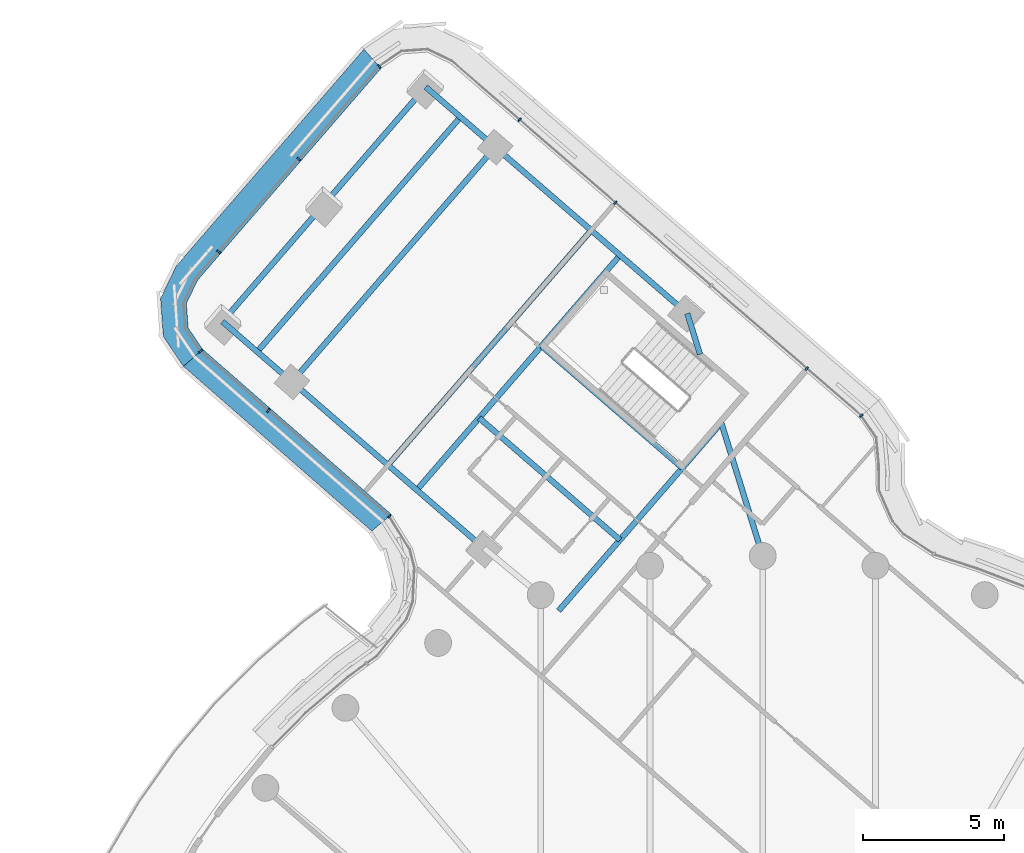
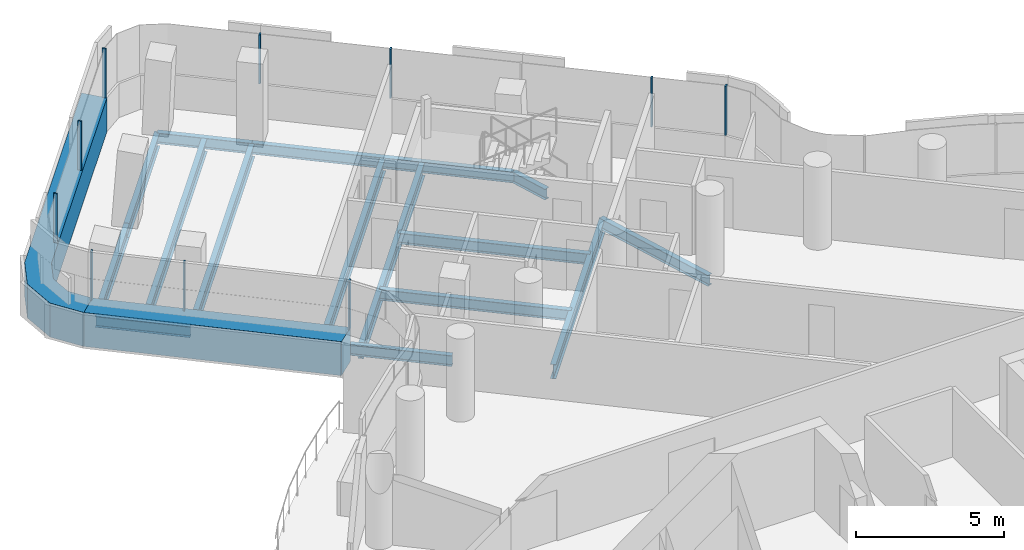
# One storey, part 15 of 32: 15 beams, 12 members, 4 elements without a shape of their own.
"""IFC4 building model written with IfcOpenShell, lengths in metres."""

from ifc_helpers import new_model, si_unit, direction, frame, origin, origin_2d, place, context, subcontext, project, spatial, polyline, rectangle, i_section, outline, extrude, material, layer, layer_set, material_profile, profile_set, type_object, element, aggregate, save


model = new_model("IFC4")

# Units and contexts
model_context = context("Model", 3, precision=1e-05, world=origin(), true_north=direction((0.0, 1.0)))
body_context = subcontext(model_context, "Body", "Model", "MODEL_VIEW")
ifc_project = project(units=[si_unit("LENGTHUNIT", "METRE"), si_unit("AREAUNIT", "SQUARE_METRE"), si_unit("VOLUMEUNIT", "CUBIC_METRE"), si_unit("PLANEANGLEUNIT", "RADIAN"), si_unit("MASSUNIT", "GRAM", prefix="KILO")], contexts=[model_context])

# Site, building, storey
site_placement = place(None, origin())
site = spatial("IfcSite", under=ifc_project, at=site_placement, CompositionType="ELEMENT")
building_placement = place(site_placement, origin())
building = spatial("IfcBuilding", under=site, at=building_placement, Name="Tamarind Cross Interchange Tower", CompositionType="ELEMENT")
storey_placement = place(building_placement, frame((0.0, 0.0, 211.300048828125)))
storey = spatial("IfcBuildingStorey", under=building, at=storey_placement, Name="L53", CompositionType="ELEMENT", Elevation=211.300048828125)

# Beams
ifc_material_1 = material(Name="Steel Q355B", Category="steel")
ifc_material_profile_1 = material_profile(ifc_material_1, i_section(OverallWidth=0.198974609375, OverallDepth=0.446044921875, WebThickness=0.008056640625, FlangeThickness=0.011962890625, FilletRadius=0.012939453125, at=origin_2d()), Name="HN 446x199x8x12")
ifc_profile_set_1 = profile_set([ifc_material_profile_1], Name="Steel Q355B")
beam_type_1 = type_object("IfcBeamType", Name="Composite beam HN 446x199x8x12 Q355B", PredefinedType="BEAM", material=ifc_profile_set_1)
beam_1_placement = place(storey_placement, frame((-11.940185546875, 39.61669921875, -0.363037109375), z_axis=(0.755936224782, -0.654645265822, 0.0), x_axis=(0.654645265822, 0.755936224782, 0.0)))
element("IfcBeam", 1, at=beam_1_placement, inside=storey, type_object=beam_type_1, Name="Beam N-edgeem5", PredefinedType="BEAM", context=body_context, shape_type="SweptSolid", body=[
    extrude(i_section(OverallWidth=0.198974609375, OverallDepth=0.446044921875, WebThickness=0.008056640625, FlangeThickness=0.011962890625, FilletRadius=0.012939453125, at=origin_2d()), origin(), (0.0, 0.0, 1.0), 3.2587890625),
])
beam_2_placement = place(storey_placement, frame((-9.476806640625, 37.4833984375, -0.363037109375), z_axis=(0.755922635759, -0.654660957097, 0.0), x_axis=(0.654660957097, 0.755922635759, 0.0)))
element("IfcBeam", 2, at=beam_2_placement, inside=storey, type_object=beam_type_1, Name="Beam N-edgeem6", PredefinedType="BEAM", context=body_context, shape_type="SweptSolid", body=[
    extrude(i_section(OverallWidth=0.198974609375, OverallDepth=0.446044921875, WebThickness=0.008056640625, FlangeThickness=0.011962890625, FilletRadius=0.012939453125, at=origin_2d()), origin(), (0.0, 0.0, 1.0), 9.000244140625),
])
beam_3_placement = place(storey_placement, frame((-19.141357421875, 31.3017578125, -0.363037109375), z_axis=(0.755899150045, -0.654688074553, 0.0), x_axis=(0.654688074553, 0.755899150045, 0.0)))
element("IfcBeam", 3, at=beam_3_placement, inside=storey, type_object=beam_type_1, Name="Beam N-edgeep2", PredefinedType="BEAM", context=body_context, shape_type="SweptSolid", body=[
    extrude(i_section(OverallWidth=0.198974609375, OverallDepth=0.446044921875, WebThickness=0.008056640625, FlangeThickness=0.011962890625, FilletRadius=0.012939453125, at=origin_2d()), origin(), (0.0, 0.0, 1.0), 3.2587890625),
])
beam_4_placement = place(storey_placement, frame((-16.677978515625, 29.168212890625, -0.363037109375), z_axis=(0.755911009677, -0.654674381237, 0.0), x_axis=(0.654674381237, 0.755911009677, 0.0)))
element("IfcBeam", 4, at=beam_4_placement, inside=storey, type_object=beam_type_1, Name="Beam N-edgeep3", PredefinedType="BEAM", context=body_context, shape_type="SweptSolid", body=[
    extrude(i_section(OverallWidth=0.198974609375, OverallDepth=0.446044921875, WebThickness=0.008056640625, FlangeThickness=0.011962890625, FilletRadius=0.012939453125, at=origin_2d()), origin(), (0.0, 0.0, 1.0), 9.0),
])
beam_5_placement = place(storey_placement, frame((-2.67333984375, 31.59130859375, -0.363037109375), z_axis=(0.297046990781, -0.954862862022, 0.0), x_axis=(0.954862862022, 0.297046990781, 0.0)))
element("IfcBeam", 5, at=beam_5_placement, inside=storey, type_object=beam_type_1, Name="Beam N-linkemt0", PredefinedType="BEAM", context=body_context, shape_type="SweptSolid", body=[
    extrude(i_section(OverallWidth=0.198974609375, OverallDepth=0.446044921875, WebThickness=0.008056640625, FlangeThickness=0.011962890625, FilletRadius=0.012939453125, at=origin_2d()), origin(), (0.0, 0.0, 1.0), 1.517333984375),
])
beam_6_placement = place(storey_placement, frame((-1.484619140625, 27.7705078125, -0.363037109375), z_axis=(0.297150707397, -0.954830590782, 0.0), x_axis=(0.954830590782, 0.297150707397, 0.0)))
element("IfcBeam", 6, at=beam_6_placement, inside=storey, type_object=beam_type_1, Name="Beam N-linkemt1", PredefinedType="BEAM", context=body_context, shape_type="SweptSolid", body=[
    extrude(i_section(OverallWidth=0.198974609375, OverallDepth=0.446044921875, WebThickness=0.008056640625, FlangeThickness=0.011962890625, FilletRadius=0.012939453125, at=origin_2d()), origin(), (0.0, 0.0, 1.0), 4.99609375),
])
for number, where, z_axis, x_axis, name in (
    (7, (-2.847900390625, 26.1201171875, -0.363037109375), (-0.755914834316, 0.654669965144, 0.0), (-0.654669965144, -0.755914834316, 0.0), "Beam N-tr1"),
    (8, (-5.057373046875, 23.56884765625, -0.363037109375), (-0.755914834316, 0.654669965144, 0.0), (-0.654669965144, -0.755914834316, 0.0), "Beam N-stripp"),
):
    element("IfcBeam", number, at=place(storey_placement, frame(where, z_axis=z_axis, x_axis=x_axis)), inside=storey, type_object=beam_type_1, Name=name, PredefinedType="BEAM", context=body_context, shape_type="SweptSolid", body=[
        extrude(i_section(OverallWidth=0.198974609375, OverallDepth=0.446044921875, WebThickness=0.008056640625, FlangeThickness=0.011962890625, FilletRadius=0.012939453125, at=origin_2d()), origin(), (0.0, 0.0, 1.0), 6.599853515625),
    ])
ifc_material_profile_2 = material_profile(ifc_material_1, i_section(OverallWidth=0.198974609375, OverallDepth=0.595947265625, WebThickness=0.010009765625, FlangeThickness=0.014892578125, FilletRadius=0.012939453125, at=origin_2d()), Name="HN 596x199x10x15")
ifc_profile_set_2 = profile_set([ifc_material_profile_2], Name="Steel Q355B")
beam_type_2 = type_object("IfcBeamType", Name="Composite beam HN 596x199x10x15 Q355B", PredefinedType="BEAM", material=ifc_profile_set_2)
for number, where, z_axis, x_axis, name in (
    (9, (-11.940185546875, 39.61669921875, -0.43798828125), (-0.654665171446, -0.755918985934, 0.0), (0.755918985934, -0.654665171446, 0.0), "Beam N-tip0"),
    (10, (-15.540771484375, 35.459228515625, -0.43798828125), (-0.654665171446, -0.755918985934, 0.0), (0.755918985934, -0.654665171446, 0.0), "Beam N-tip1"),
):
    element("IfcBeam", number, at=place(storey_placement, frame(where, z_axis=z_axis, x_axis=x_axis)), inside=storey, type_object=beam_type_2, Name=name, PredefinedType="BEAM", context=body_context, shape_type="SweptSolid", body=[
        extrude(i_section(OverallWidth=0.198974609375, OverallDepth=0.595947265625, WebThickness=0.010009765625, FlangeThickness=0.014892578125, FilletRadius=0.012939453125, at=origin_2d()), origin(), (0.0, 0.0, 1.0), 5.5),
    ])
beam_7_placement = place(storey_placement, frame((-1.467041015625, 27.71435546875, -0.43798828125), z_axis=(-0.654670720591, -0.75591418005, 0.0), x_axis=(0.75591418005, -0.654670720591, 0.0)))
element("IfcBeam", 11, at=beam_7_placement, inside=storey, type_object=beam_type_2, Name="Beam N-x268", PredefinedType="BEAM", context=body_context, shape_type="SweptSolid", body=[
    extrude(i_section(OverallWidth=0.198974609375, OverallDepth=0.595947265625, WebThickness=0.010009765625, FlangeThickness=0.014892578125, FilletRadius=0.012939453125, at=origin_2d()), origin(), (0.0, 0.0, 1.0), 8.8017578125),
])
for number, where, z_axis, x_axis, name in (
    (12, (-5.0546875, 33.653564453125, -0.43798828125), (-0.654654187812, -0.755928498193, 0.0), (0.755928498193, -0.654654187812, 0.0), "Beam N-x334"),
    (13, (-9.476806640625, 37.4833984375, -0.43798828125), (-0.654654187812, -0.755928498193, 0.0), (0.755928498193, -0.654654187812, 0.0), "Beam N-x393"),
    (14, (-6.0751953125, 34.537353515625, -0.43798828125), (-0.654654187812, -0.755928498193, 0.0), (0.755928498193, -0.654654187812, 0.0), "Beam N-x348"),
    (15, (-10.70849609375, 38.550048828125, -0.43798828125), (-0.654654187812, -0.755928498193, 0.0), (0.755928498193, -0.654654187812, 0.0), "Beam N-x409"),
):
    element("IfcBeam", number, at=place(storey_placement, frame(where, z_axis=z_axis, x_axis=x_axis)), inside=storey, type_object=beam_type_2, Name=name, PredefinedType="BEAM", context=body_context, shape_type="SweptSolid", body=[
        extrude(i_section(OverallWidth=0.198974609375, OverallDepth=0.595947265625, WebThickness=0.010009765625, FlangeThickness=0.014892578125, FilletRadius=0.012939453125, at=origin_2d()), origin(), (0.0, 0.0, 1.0), 11.0),
    ])

# Curtain wall, member
ifc_material_2 = material(Name="Aluminium 6063-T6", Category="aluminium")
ifc_layer = layer(ifc_material_2, 0.139892578125)
ifc_layer_set = layer_set([ifc_layer], Name="Aluminium 6063-T6")
curtain_wall_type = type_object("IfcCurtainWallType", Name="Hotel curtain wall, 4.5 m bays", PredefinedType="NOTDEFINED", material=ifc_layer_set)
curtain_wall_1_placement = place(storey_placement, origin())
curtain_wall_1 = element("IfcCurtainWall", 16, at=curtain_wall_1_placement, inside=storey, type_object=curtain_wall_type, Name="CWS-L53-08", PredefinedType="NOTDEFINED")
ifc_material_3 = material(Name="Aluminium and insulated spandrel panel", Category="aluminium")
member_type_1 = type_object("IfcMemberType", Name="Floor-edge blade transom", PredefinedType="USERDEFINED", material=ifc_material_3)
member_1_placement = place(storey_placement, origin())
member_1 = element("IfcMember", 17, at=member_1_placement, type_object=member_type_1, Name="CWT-L53-08", ObjectType="TRANSOM", PredefinedType="USERDEFINED", context=body_context, shape_type="SweptSolid", body=[
    extrude(outline(polyline([(-13.523681640625, 40.2744140625), (-20.0185546875, 32.77490234375), (-20.418212890625, 31.951416015625), (-20.355712890625, 31.0791015625), (-19.842041015625, 30.320556640625), (-20.52197265625, 29.7197265625), (-21.236083984375, 30.774169921875), (-21.333251953125, 32.12744140625), (-20.7763671875, 33.274658203125), (-14.126220703125, 40.953125), (-13.523681640625, 40.2744140625)])), origin(), (0.0, 0.0, 1.0), 1.39990234375),
])

curtain_wall_2_placement = place(storey_placement, origin())
curtain_wall_2 = element("IfcCurtainWall", 18, at=curtain_wall_2_placement, inside=storey, type_object=curtain_wall_type, Name="CWS-L53-09", PredefinedType="NOTDEFINED")
member_2_placement = place(storey_placement, origin())
member_2 = element("IfcMember", 19, at=member_2_placement, type_object=member_type_1, Name="CWT-L53-09", ObjectType="TRANSOM", PredefinedType="USERDEFINED", context=body_context, shape_type="SweptSolid", body=[
    extrude(outline(polyline([(-19.842041015625, 30.320556640625), (-13.15478515625, 24.4697265625), (-13.848388671875, 23.880859375), (-20.52197265625, 29.7197265625), (-19.842041015625, 30.320556640625)])), origin(), (0.0, 0.0, 1.0), 1.39990234375),
])

# Curtain wall, members
curtain_wall_3_placement = place(storey_placement, origin())
curtain_wall_3 = element("IfcCurtainWall", 20, at=curtain_wall_3_placement, inside=storey, type_object=curtain_wall_type, Name="CWS-L53-07", PredefinedType="NOTDEFINED")
ifc_material_profile_3 = material_profile(ifc_material_2, rectangle(XDim=0.06005859375, YDim=0.139892578125, at=origin_2d()), Name="Mullion CW2")
ifc_profile_set_3 = profile_set([ifc_material_profile_3], Name="Aluminium 6063-T6")
member_type_2 = type_object("IfcMemberType", Name="Mullion CW2", PredefinedType="MULLION", material=ifc_profile_set_3)
member_3_placement = place(storey_placement, frame((3.49560546875, 27.96826171875, 1.39990234375), z_axis=(0.0, 0.0, 1.0), x_axis=(-0.666528201716, 0.74547981617, 0.0)))
member_3 = element("IfcMember", 21, at=member_3_placement, type_object=member_type_2, Name="CWM-L53-07-00", PredefinedType="MULLION", context=body_context, shape_type="SweptSolid", body=[
    extrude(rectangle(XDim=0.06005859375, YDim=0.139892578125, at=origin_2d()), origin(), (0.0, 0.0, 1.0), 2.02001953125),
])
member_4_placement = place(storey_placement, frame((1.565185546875, 29.64013671875, 1.39990234375), z_axis=(0.0, 0.0, 1.0), x_axis=(-0.755917458902, 0.654666934653, 0.0)))
member_4 = element("IfcMember", 22, at=member_4_placement, type_object=member_type_2, Name="CWM-L53-07-01", PredefinedType="MULLION", context=body_context, shape_type="SweptSolid", body=[
    extrude(rectangle(XDim=0.06005859375, YDim=0.139892578125, at=origin_2d()), origin(), (0.0, 0.0, 1.0), 2.02001953125),
])
member_5_placement = place(storey_placement, frame((-5.2197265625, 35.516357421875, 1.39990234375), z_axis=(0.0, 0.0, 1.0), x_axis=(-0.755917458902, 0.654666934653, 0.0)))
member_5 = element("IfcMember", 23, at=member_5_placement, type_object=member_type_2, Name="CWM-L53-07-03", PredefinedType="MULLION", context=body_context, shape_type="SweptSolid", body=[
    extrude(rectangle(XDim=0.06005859375, YDim=0.139892578125, at=origin_2d()), origin(), (0.0, 0.0, 1.0), 2.02001953125),
])
member_6_placement = place(storey_placement, frame((-8.6123046875, 38.454345703125, 1.39990234375), z_axis=(0.0, 0.0, 1.0), x_axis=(-0.755917458902, 0.654666934653, 0.0)))
member_6 = element("IfcMember", 24, at=member_6_placement, type_object=member_type_2, Name="CWM-L53-07-04", PredefinedType="MULLION", context=body_context, shape_type="SweptSolid", body=[
    extrude(rectangle(XDim=0.06005859375, YDim=0.139892578125, at=origin_2d()), origin(), (0.0, 0.0, 1.0), 2.02001953125),
])
aggregate(curtain_wall_3, [member_3, member_4, member_5, member_6])

# Member
member_7_placement = place(storey_placement, frame((-13.590576171875, 40.349853515625, 1.39990234375), z_axis=(0.0, 0.0, 1.0), x_axis=(-0.747733195816, -0.663999298098, 0.0)))
member_7 = element("IfcMember", 25, at=member_7_placement, type_object=member_type_2, Name="CWM-L53-08-00", PredefinedType="MULLION", context=body_context, shape_type="SweptSolid", body=[
    extrude(rectangle(XDim=0.06005859375, YDim=0.139892578125, at=origin_2d()), origin(), (0.0, 0.0, 1.0), 2.02001953125),
])

member_8_placement = place(storey_placement, frame((-16.435546875, 37.06494140625, 1.39990234375), z_axis=(0.0, 0.0, 1.0), x_axis=(-0.654666934653, -0.755917458902, 0.0)))
member_8 = element("IfcMember", 26, at=member_8_placement, type_object=member_type_2, Name="CWM-L53-08-01", PredefinedType="MULLION", context=body_context, shape_type="SweptSolid", body=[
    extrude(rectangle(XDim=0.06005859375, YDim=0.139892578125, at=origin_2d()), origin(), (0.0, 0.0, 1.0), 2.02001953125),
])

member_9_placement = place(storey_placement, frame((-19.2802734375, 33.780029296875, 1.39990234375), z_axis=(0.0, 0.0, 1.0), x_axis=(-0.654666934653, -0.755917458902, 0.0)))
member_9 = element("IfcMember", 27, at=member_9_placement, type_object=member_type_2, Name="CWM-L53-08-02", PredefinedType="MULLION", context=body_context, shape_type="SweptSolid", body=[
    extrude(rectangle(XDim=0.06005859375, YDim=0.139892578125, at=origin_2d()), origin(), (0.0, 0.0, 1.0), 2.02001953125),
])

aggregate(curtain_wall_1, [member_7, member_8, member_9, member_1])

member_10_placement = place(storey_placement, frame((-19.91748046875, 30.25390625, 1.39990234375), z_axis=(0.0, 0.0, 1.0), x_axis=(0.662111212428, -0.749405592705, 0.0)))
member_10 = element("IfcMember", 28, at=member_10_placement, type_object=member_type_2, Name="CWM-L53-09-00", PredefinedType="MULLION", context=body_context, shape_type="SweptSolid", body=[
    extrude(rectangle(XDim=0.06005859375, YDim=0.139892578125, at=origin_2d()), origin(), (0.0, 0.0, 1.0), 2.02001953125),
])

member_11_placement = place(storey_placement, frame((-17.518310546875, 28.15478515625, 1.39990234375), z_axis=(0.0, 0.0, 1.0), x_axis=(0.752605377966, -0.658471825561, 0.0)))
member_11 = element("IfcMember", 29, at=member_11_placement, type_object=member_type_2, Name="CWM-L53-09-01", PredefinedType="MULLION", context=body_context, shape_type="SweptSolid", body=[
    extrude(rectangle(XDim=0.06005859375, YDim=0.139892578125, at=origin_2d()), origin(), (0.0, 0.0, 1.0), 2.02001953125),
])

aggregate(curtain_wall_2, [member_10, member_11, member_2])

# Curtain wall, member
curtain_wall_4_placement = place(storey_placement, origin())
curtain_wall_4 = element("IfcCurtainWall", 30, at=curtain_wall_4_placement, inside=storey, type_object=curtain_wall_type, Name="CWS-L53-10", PredefinedType="NOTDEFINED")
member_12_placement = place(storey_placement, frame((-13.23193359375, 24.404296875, 1.39990234375), z_axis=(0.0, 0.0, 1.0), x_axis=(0.647182081453, -0.762335459916, 0.0)))
member_12 = element("IfcMember", 31, at=member_12_placement, type_object=member_type_2, Name="CWM-L53-10-00", PredefinedType="MULLION", context=body_context, shape_type="SweptSolid", body=[
    extrude(rectangle(XDim=0.06005859375, YDim=0.139892578125, at=origin_2d()), origin(), (0.0, 0.0, 1.0), 2.02001953125),
])
aggregate(curtain_wall_4, [member_12])

save(model, "model.ifc")
